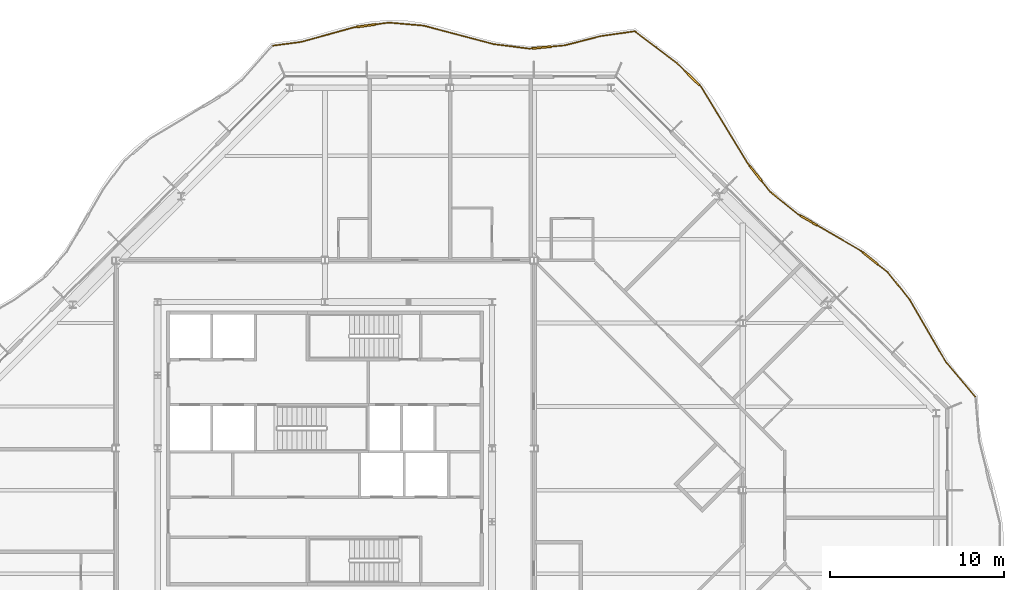
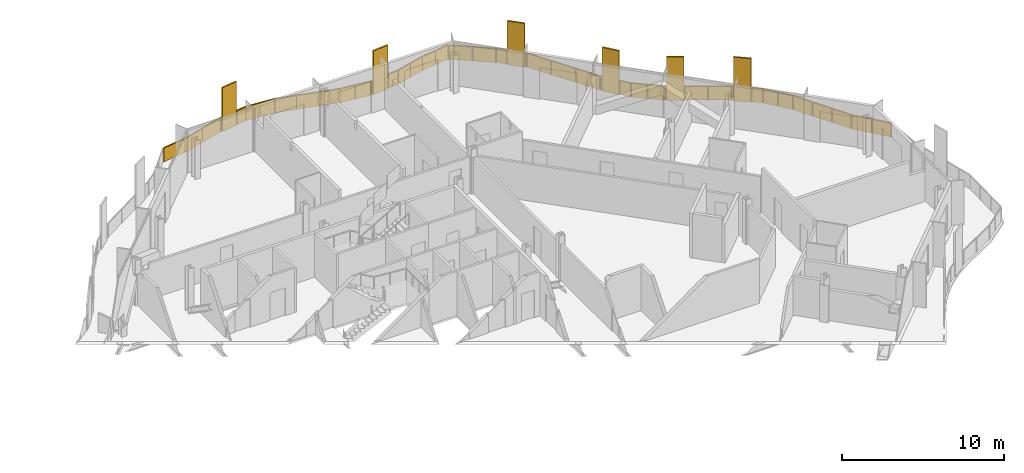
# One storey, part 17 of 17: 2 railings.
"""IFC4 building model written with IfcOpenShell, lengths in metres."""

from ifc_helpers import new_model, si_unit, direction, frame, origin, origin_2d, place, context, subcontext, project, spatial, polyline, rectangle, outline, extrude, material, type_object, element, save


model = new_model("IFC4")

# Units and contexts
model_context = context("Model", 3, precision=1e-05, world=origin(), true_north=direction((0.0, 1.0)))
body_context = subcontext(model_context, "Body", "Model", "MODEL_VIEW")
ifc_project = project(units=[si_unit("LENGTHUNIT", "METRE"), si_unit("AREAUNIT", "SQUARE_METRE"), si_unit("VOLUMEUNIT", "CUBIC_METRE"), si_unit("PLANEANGLEUNIT", "RADIAN"), si_unit("MASSUNIT", "GRAM", prefix="KILO")], contexts=[model_context])

# Site, building, storey
site_placement = place(None, origin())
site = spatial("IfcSite", under=ifc_project, at=site_placement, CompositionType="ELEMENT")
building_placement = place(site_placement, origin())
building = spatial("IfcBuilding", under=site, at=building_placement, Name="Cairn Pilgrim Tower", CompositionType="ELEMENT")
storey_placement = place(building_placement, frame((0.0, 0.0, 257.39990234375)))
storey = spatial("IfcBuildingStorey", under=building, at=storey_placement, Name="L66", CompositionType="ELEMENT", Elevation=257.39990234375)

# Railings
ifc_material = material(Name="Bronze anodised aluminium rail, posts and fin screens with laminated glass infill", Category="aluminium")
railing_type = type_object("IfcRailingType", Name="BALCONY GUARD WITH FIN SCREENS", PredefinedType="GUARDRAIL", material=ifc_material)
railing_1_placement = place(storey_placement, frame((44.5546875, 5.36083984375, 0.0)))
element("IfcRailing", 1, at=railing_1_placement, inside=storey, type_object=railing_type, Name="Balcony guard BGF-4 with fin screens", PredefinedType="GUARDRAIL", context=body_context, shape_type="SweptSolid", body=[
    extrude(rectangle(XDim=0.050048828125, YDim=0.050048828125, at=origin_2d()), frame((0.0, 0.0, 1.0751953125), z_axis=(-0.64806430791, 0.76158561752, 0.0), x_axis=(-0.76158561752, -0.64806430791, 0.0)), (0.0, 0.0, 1.0), 2.6064453125),
    extrude(rectangle(XDim=0.050048828125, YDim=0.050048828125, at=origin_2d()), frame((-1.689208984375, 1.985107421875, 1.0751953125), z_axis=(-0.502484896904, 0.864585986691, 0.0), x_axis=(-0.864585986691, -0.502484896904, 0.0)), (0.0, 0.0, 1.0), 4.163330078125),
    extrude(rectangle(XDim=0.050048828125, YDim=0.050048828125, at=origin_2d()), frame((-3.78125, 5.584716796875, 1.0751953125), z_axis=(-0.625157352372, 0.780498741046, 0.0), x_axis=(-0.780498741046, -0.625157352372, 0.0)), (0.0, 0.0, 1.0), 1.99609375),
    extrude(rectangle(XDim=1.10009765625, YDim=0.110107421875, at=origin_2d()), frame((-6.0400390625, 7.953125, 0.0), z_axis=(0.0, 0.0, 1.0), x_axis=(-0.780235861262, 0.625485412141, 0.0)), (0.0, 0.0, 1.0), 3.300048828125),
    extrude(rectangle(XDim=0.050048828125, YDim=0.050048828125, at=origin_2d()), frame((-5.029052734375, 7.142578125, 1.0751953125), z_axis=(-0.780235861262, 0.625485412141, 0.0), x_axis=(-0.625485412141, -0.780235861262, 0.0)), (0.0, 0.0, 1.0), 0.74560546875),
    extrude(rectangle(XDim=0.050048828125, YDim=0.050048828125, at=origin_2d()), frame((-6.46923828125, 8.297119140625, 1.0751953125), z_axis=(-0.780235861262, 0.625485412141, 0.0), x_axis=(-0.625485412141, -0.780235861262, 0.0)), (0.0, 0.0, 1.0), 0.150146484375),
    extrude(rectangle(XDim=1.10009765625, YDim=0.110107421875, at=origin_2d()), frame((-9.5791015625, 10.13037109375, 0.0), z_axis=(0.0, 0.0, 1.0), x_axis=(-0.864573572057, 0.502506257175, 0.0)), (0.0, 0.0, 1.0), 3.300048828125),
    extrude(rectangle(XDim=0.050048828125, YDim=0.050048828125, at=origin_2d()), frame((-6.586181640625, 8.390869140625, 1.0751953125), z_axis=(-0.864573572057, 0.502506257175, 0.0), x_axis=(-0.502506257175, -0.864573572057, 0.0)), (0.0, 0.0, 1.0), 2.91162109375),
    extrude(rectangle(XDim=0.050048828125, YDim=0.050048828125, at=origin_2d()), frame((-10.054443359375, 10.40673828125, 1.0751953125), z_axis=(-0.864573572057, 0.502506257175, 0.0), x_axis=(-0.502506257175, -0.864573572057, 0.0)), (0.0, 0.0, 1.0), 0.150146484375),
    extrude(rectangle(XDim=0.050048828125, YDim=0.050048828125, at=origin_2d()), frame((-10.184326171875, 10.482177734375, 1.0751953125), z_axis=(-0.777594108247, 0.6287665726, 0.0), x_axis=(-0.6287665726, -0.777594108247, 0.0)), (0.0, 0.0, 1.0), 2.050537109375),
    extrude(rectangle(XDim=1.10009765625, YDim=0.110107421875, at=origin_2d()), frame((-12.618408203125, 12.8291015625, 0.0), z_axis=(0.0, 0.0, 1.0), x_axis=(-0.621757575398, 0.783209753154, 0.0)), (0.0, 0.0, 1.0), 3.300048828125),
    extrude(rectangle(XDim=0.050048828125, YDim=0.050048828125, at=origin_2d()), frame((-11.77880859375, 11.771484375, 1.0751953125), z_axis=(-0.621757575398, 0.783209753154, 0.0), x_axis=(-0.783209753154, -0.621757575398, 0.0)), (0.0, 0.0, 1.0), 0.800537109375),
    extrude(rectangle(XDim=0.050048828125, YDim=0.050048828125, at=origin_2d()), frame((-12.96044921875, 13.260009765625, 1.0751953125), z_axis=(-0.621757575398, 0.783209753154, 0.0), x_axis=(-0.783209753154, -0.621757575398, 0.0)), (0.0, 0.0, 1.0), 0.14990234375),
    extrude(rectangle(XDim=0.050048828125, YDim=0.050048828125, at=origin_2d()), frame((-13.0537109375, 13.37744140625, 1.0751953125), z_axis=(-0.520336780207, 0.853961143825, 0.0), x_axis=(-0.853961143825, -0.520336780207, 0.0)), (0.0, 0.0, 1.0), 5.1650390625),
    extrude(rectangle(XDim=1.10009765625, YDim=0.110107421875, at=origin_2d()), frame((-16.2412109375, 18.278076171875, 0.0), z_axis=(0.0, 0.0, 1.0), x_axis=(-0.714150063952, 0.699992632931, 0.0)), (0.0, 0.0, 1.0), 3.300048828125),
    extrude(rectangle(XDim=0.050048828125, YDim=0.050048828125, at=origin_2d()), frame((-15.7412109375, 17.7880859375, 1.0751953125), z_axis=(-0.714150063952, 0.699992632931, 0.0), x_axis=(-0.699992632931, -0.714150063952, 0.0)), (0.0, 0.0, 1.0), 0.14990234375),
    extrude(rectangle(XDim=0.050048828125, YDim=0.050048828125, at=origin_2d()), frame((-16.6337890625, 18.6630859375, 1.0751953125), z_axis=(-0.714150063952, 0.699992632931, 0.0), x_axis=(-0.699992632931, -0.714150063952, 0.0)), (0.0, 0.0, 1.0), 0.733154296875),
    extrude(rectangle(XDim=0.050048828125, YDim=0.050048828125, at=origin_2d()), frame((-17.157470703125, 19.17626953125, 1.0751953125), z_axis=(-0.797707926481, 0.60304399842, 0.0), x_axis=(-0.60304399842, -0.797707926481, 0.0)), (0.0, 0.0, 1.0), 2.947265625),
    extrude(rectangle(XDim=0.050048828125, YDim=0.050048828125, at=origin_2d()), origin(), (0.0, 0.0, 1.0), 1.050048828125),
    extrude(rectangle(XDim=0.050048828125, YDim=0.050048828125, at=origin_2d()), frame((-0.8447265625, 0.99267578125, 0.0)), (0.0, 0.0, 1.0), 1.050048828125),
    extrude(rectangle(XDim=0.050048828125, YDim=0.050048828125, at=origin_2d()), frame((-1.689208984375, 1.985107421875, 0.0)), (0.0, 0.0, 1.0), 1.050048828125),
    extrude(rectangle(XDim=0.050048828125, YDim=0.050048828125, at=origin_2d()), frame((-2.386474609375, 3.18505859375, 0.0)), (0.0, 0.0, 1.0), 1.050048828125),
    extrude(rectangle(XDim=0.050048828125, YDim=0.050048828125, at=origin_2d()), frame((-3.083984375, 4.384765625, 0.0)), (0.0, 0.0, 1.0), 1.050048828125),
    extrude(rectangle(XDim=0.050048828125, YDim=0.050048828125, at=origin_2d()), frame((-3.78125, 5.584716796875, 0.0)), (0.0, 0.0, 1.0), 1.050048828125),
    extrude(rectangle(XDim=0.050048828125, YDim=0.050048828125, at=origin_2d()), frame((-4.4052734375, 6.36376953125, 0.0)), (0.0, 0.0, 1.0), 1.050048828125),
    extrude(rectangle(XDim=0.050048828125, YDim=0.050048828125, at=origin_2d()), frame((-5.029052734375, 7.142578125, 0.0)), (0.0, 0.0, 1.0), 1.050048828125),
    extrude(rectangle(XDim=0.050048828125, YDim=0.050048828125, at=origin_2d()), frame((-5.59130859375, 7.59326171875, 0.0)), (0.0, 0.0, 1.0), 1.050048828125),
    extrude(rectangle(XDim=0.050048828125, YDim=0.050048828125, at=origin_2d()), frame((-6.488525390625, 8.312744140625, 0.0)), (0.0, 0.0, 1.0), 1.050048828125),
    extrude(rectangle(XDim=0.050048828125, YDim=0.050048828125, at=origin_2d()), frame((-6.586181640625, 8.390869140625, 0.0)), (0.0, 0.0, 1.0), 1.050048828125),
    extrude(rectangle(XDim=0.050048828125, YDim=0.050048828125, at=origin_2d()), frame((-7.833984375, 9.1162109375, 0.0)), (0.0, 0.0, 1.0), 1.050048828125),
    extrude(rectangle(XDim=0.050048828125, YDim=0.050048828125, at=origin_2d()), frame((-9.081787109375, 9.84130859375, 0.0)), (0.0, 0.0, 1.0), 1.050048828125),
    extrude(rectangle(XDim=0.050048828125, YDim=0.050048828125, at=origin_2d()), frame((-10.076171875, 10.41943359375, 0.0)), (0.0, 0.0, 1.0), 1.050048828125),
    extrude(rectangle(XDim=0.050048828125, YDim=0.050048828125, at=origin_2d()), frame((-10.184326171875, 10.482177734375, 0.0)), (0.0, 0.0, 1.0), 1.050048828125),
    extrude(rectangle(XDim=0.050048828125, YDim=0.050048828125, at=origin_2d()), frame((-10.9814453125, 11.126953125, 0.0)), (0.0, 0.0, 1.0), 1.050048828125),
    extrude(rectangle(XDim=0.050048828125, YDim=0.050048828125, at=origin_2d()), frame((-11.77880859375, 11.771484375, 0.0)), (0.0, 0.0, 1.0), 1.050048828125),
    extrude(rectangle(XDim=0.050048828125, YDim=0.050048828125, at=origin_2d()), frame((-12.260986328125, 12.37890625, 0.0)), (0.0, 0.0, 1.0), 1.050048828125),
    extrude(rectangle(XDim=0.050048828125, YDim=0.050048828125, at=origin_2d()), frame((-12.97607421875, 13.279541015625, 0.0)), (0.0, 0.0, 1.0), 1.050048828125),
    extrude(rectangle(XDim=0.050048828125, YDim=0.050048828125, at=origin_2d()), frame((-13.0537109375, 13.37744140625, 0.0)), (0.0, 0.0, 1.0), 1.050048828125),
    extrude(rectangle(XDim=0.050048828125, YDim=0.050048828125, at=origin_2d()), frame((-13.949462890625, 14.84765625, 0.0)), (0.0, 0.0, 1.0), 1.050048828125),
    extrude(rectangle(XDim=0.050048828125, YDim=0.050048828125, at=origin_2d()), frame((-14.845458984375, 16.31787109375, 0.0)), (0.0, 0.0, 1.0), 1.050048828125),
    extrude(rectangle(XDim=0.050048828125, YDim=0.050048828125, at=origin_2d()), frame((-15.7412109375, 17.7880859375, 0.0)), (0.0, 0.0, 1.0), 1.050048828125),
    extrude(rectangle(XDim=0.050048828125, YDim=0.050048828125, at=origin_2d()), frame((-15.830322265625, 17.87548828125, 0.0)), (0.0, 0.0, 1.0), 1.050048828125),
    extrude(rectangle(XDim=0.050048828125, YDim=0.050048828125, at=origin_2d()), frame((-16.65185546875, 18.6806640625, 0.0)), (0.0, 0.0, 1.0), 1.050048828125),
    extrude(rectangle(XDim=0.050048828125, YDim=0.050048828125, at=origin_2d()), frame((-17.157470703125, 19.17626953125, 0.0)), (0.0, 0.0, 1.0), 1.050048828125),
    extrude(rectangle(XDim=0.050048828125, YDim=0.050048828125, at=origin_2d()), frame((-18.3330078125, 20.06494140625, 0.0)), (0.0, 0.0, 1.0), 1.050048828125),
    extrude(rectangle(XDim=0.050048828125, YDim=0.050048828125, at=origin_2d()), frame((-19.508544921875, 20.95361328125, 0.0)), (0.0, 0.0, 1.0), 1.050048828125),
    extrude(outline(polyline([(0.02490234375, 0.0), (1.2783203125, 0.0), (1.2783203125, 1.050048828125), (0.02490234375, 1.050048828125), (0.02490234375, 0.0)])), frame((-0.004638671875, -0.00390625, 0.0), z_axis=(0.76158561752, 0.64806430791, 0.0), x_axis=(-0.64806430791, 0.76158561752, 0.0)), (0.0, 0.0, 1.0), 0.011962890625),
    extrude(outline(polyline([(0.02490234375, 0.0), (1.2783203125, 0.0), (1.2783203125, 1.050048828125), (0.02490234375, 1.050048828125), (0.02490234375, 0.0)])), frame((-0.84912109375, 0.98876953125, 0.0), z_axis=(0.76158561752, 0.64806430791, 0.0), x_axis=(-0.64806430791, 0.76158561752, 0.0)), (0.0, 0.0, 1.0), 0.011962890625),
    extrude(outline(polyline([(0.02490234375, 0.0), (1.36279296875, 0.0), (1.36279296875, 1.050048828125), (0.02490234375, 1.050048828125), (0.02490234375, 0.0)])), frame((-1.6943359375, 1.982177734375, 0.0), z_axis=(0.864585986691, 0.502484896904, 0.0), x_axis=(-0.502484896904, 0.864585986691, 0.0)), (0.0, 0.0, 1.0), 0.011962890625),
    extrude(outline(polyline([(0.02490234375, 0.0), (1.36279296875, 0.0), (1.36279296875, 1.050048828125), (0.02490234375, 1.050048828125), (0.02490234375, 0.0)])), frame((-2.391845703125, 3.181884765625, 0.0), z_axis=(0.864585986691, 0.502484896904, 0.0), x_axis=(-0.502484896904, 0.864585986691, 0.0)), (0.0, 0.0, 1.0), 0.011962890625),
    extrude(outline(polyline([(0.02490234375, 0.0), (1.36279296875, 0.0), (1.36279296875, 1.050048828125), (0.02490234375, 1.050048828125), (0.02490234375, 0.0)])), frame((-3.089111328125, 4.3818359375, 0.0), z_axis=(0.864585986691, 0.502484896904, 0.0), x_axis=(-0.502484896904, 0.864585986691, 0.0)), (0.0, 0.0, 1.0), 0.011962890625),
    extrude(outline(polyline([(0.02490234375, 0.0), (0.972900390625, 0.0), (0.972900390625, 1.050048828125), (0.02490234375, 1.050048828125), (0.02490234375, 0.0)])), frame((-3.785888671875, 5.5810546875, 0.0), z_axis=(0.780498741046, 0.625157352372, 0.0), x_axis=(-0.625157352372, 0.780498741046, 0.0)), (0.0, 0.0, 1.0), 0.011962890625),
    extrude(outline(polyline([(0.02490234375, 0.0), (0.972900390625, 0.0), (0.972900390625, 1.050048828125), (0.02490234375, 1.050048828125), (0.02490234375, 0.0)])), frame((-4.409912109375, 6.35986328125, 0.0), z_axis=(0.780498741046, 0.625157352372, 0.0), x_axis=(-0.625157352372, 0.780498741046, 0.0)), (0.0, 0.0, 1.0), 0.011962890625),
    extrude(outline(polyline([(0.02490234375, 0.0), (0.695556640625, 0.0), (0.695556640625, 1.050048828125), (0.02490234375, 1.050048828125), (0.02490234375, 0.0)])), frame((-5.03271484375, 7.137939453125, 0.0), z_axis=(0.625485412141, 0.780235861262, 0.0), x_axis=(-0.780235861262, 0.625485412141, 0.0)), (0.0, 0.0, 1.0), 0.011962890625),
    extrude(outline(polyline([(0.02490234375, 0.0), (0.10009765625, 0.0), (0.10009765625, 1.050048828125), (0.02490234375, 1.050048828125), (0.02490234375, 0.0)])), frame((-6.492431640625, 8.30810546875, 0.0), z_axis=(0.625485412141, 0.780235861262, 0.0), x_axis=(-0.780235861262, 0.625485412141, 0.0)), (0.0, 0.0, 1.0), 0.011962890625),
    extrude(outline(polyline([(0.02490234375, 0.0), (1.418212890625, 0.0), (1.418212890625, 1.050048828125), (0.02490234375, 1.050048828125), (0.02490234375, 0.0)])), frame((-6.589111328125, 8.3857421875, 0.0), z_axis=(0.502506257175, 0.864573572057, 0.0), x_axis=(-0.864573572057, 0.502506257175, 0.0)), (0.0, 0.0, 1.0), 0.011962890625),
    extrude(outline(polyline([(0.02490234375, 0.0), (1.418212890625, 0.0), (1.418212890625, 1.050048828125), (0.02490234375, 1.050048828125), (0.02490234375, 0.0)])), frame((-7.837158203125, 9.111083984375, 0.0), z_axis=(0.502506257175, 0.864573572057, 0.0), x_axis=(-0.864573572057, 0.502506257175, 0.0)), (0.0, 0.0, 1.0), 0.011962890625),
    extrude(outline(polyline([(0.02490234375, 0.0), (0.10009765625, 0.0), (0.10009765625, 1.050048828125), (0.02490234375, 1.050048828125), (0.02490234375, 0.0)])), frame((-10.0791015625, 10.4140625, 0.0), z_axis=(0.502506257175, 0.864573572057, 0.0), x_axis=(-0.864573572057, 0.502506257175, 0.0)), (0.0, 0.0, 1.0), 0.011962890625),
    extrude(outline(polyline([(0.02490234375, 0.0), (1.000244140625, 0.0), (1.000244140625, 1.050048828125), (0.02490234375, 1.050048828125), (0.02490234375, 0.0)])), frame((-10.18798828125, 10.4775390625, 0.0), z_axis=(0.6287665726, 0.777594108247, 0.0), x_axis=(-0.777594108247, 0.6287665726, 0.0)), (0.0, 0.0, 1.0), 0.011962890625),
    extrude(outline(polyline([(0.02490234375, 0.0), (1.000244140625, 0.0), (1.000244140625, 1.050048828125), (0.02490234375, 1.050048828125), (0.02490234375, 0.0)])), frame((-10.9853515625, 11.1220703125, 0.0), z_axis=(0.6287665726, 0.777594108247, 0.0), x_axis=(-0.777594108247, 0.6287665726, 0.0)), (0.0, 0.0, 1.0), 0.011962890625),
    extrude(outline(polyline([(0.02490234375, 0.0), (0.75048828125, 0.0), (0.75048828125, 1.050048828125), (0.02490234375, 1.050048828125), (0.02490234375, 0.0)])), frame((-11.783447265625, 11.767822265625, 0.0), z_axis=(0.783209753154, 0.621757575398, 0.0), x_axis=(-0.621757575398, 0.783209753154, 0.0)), (0.0, 0.0, 1.0), 0.011962890625),
    extrude(outline(polyline([(0.02490234375, 0.0), (0.099853515625, 0.0), (0.099853515625, 1.050048828125), (0.02490234375, 1.050048828125), (0.02490234375, 0.0)])), frame((-12.980712890625, 13.27587890625, 0.0), z_axis=(0.783209753154, 0.621757575398, 0.0), x_axis=(-0.621757575398, 0.783209753154, 0.0)), (0.0, 0.0, 1.0), 0.011962890625),
    extrude(outline(polyline([(0.02490234375, 0.0), (1.696533203125, 0.0), (1.696533203125, 1.050048828125), (0.02490234375, 1.050048828125), (0.02490234375, 0.0)])), frame((-13.058837890625, 13.374267578125, 0.0), z_axis=(0.853961143825, 0.520336780207, 0.0), x_axis=(-0.520336780207, 0.853961143825, 0.0)), (0.0, 0.0, 1.0), 0.011962890625),
    extrude(outline(polyline([(0.02490234375, 0.0), (1.696533203125, 0.0), (1.696533203125, 1.050048828125), (0.02490234375, 1.050048828125), (0.02490234375, 0.0)])), frame((-13.95458984375, 14.844482421875, 0.0), z_axis=(0.853961143825, 0.520336780207, 0.0), x_axis=(-0.520336780207, 0.853961143825, 0.0)), (0.0, 0.0, 1.0), 0.011962890625),
    extrude(outline(polyline([(0.02490234375, 0.0), (1.696533203125, 0.0), (1.696533203125, 1.050048828125), (0.02490234375, 1.050048828125), (0.02490234375, 0.0)])), frame((-14.8505859375, 16.314697265625, 0.0), z_axis=(0.853961143825, 0.520336780207, 0.0), x_axis=(-0.520336780207, 0.853961143825, 0.0)), (0.0, 0.0, 1.0), 0.011962890625),
    extrude(outline(polyline([(0.02490234375, 0.0), (0.099853515625, 0.0), (0.099853515625, 1.050048828125), (0.02490234375, 1.050048828125), (0.02490234375, 0.0)])), frame((-15.745361328125, 17.783935546875, 0.0), z_axis=(0.699992632931, 0.714150063952, 0.0), x_axis=(-0.714150063952, 0.699992632931, 0.0)), (0.0, 0.0, 1.0), 0.011962890625),
    extrude(outline(polyline([(0.02490234375, 0.0), (0.68310546875, 0.0), (0.68310546875, 1.050048828125), (0.02490234375, 1.050048828125), (0.02490234375, 0.0)])), frame((-16.656005859375, 18.67626953125, 0.0), z_axis=(0.699992632931, 0.714150063952, 0.0), x_axis=(-0.714150063952, 0.699992632931, 0.0)), (0.0, 0.0, 1.0), 0.011962890625),
    extrude(outline(polyline([(0.02490234375, 0.0), (1.44873046875, 0.0), (1.44873046875, 1.050048828125), (0.02490234375, 1.050048828125), (0.02490234375, 0.0)])), frame((-17.1611328125, 19.17138671875, 0.0), z_axis=(0.60304399842, 0.797707926481, 0.0), x_axis=(-0.797707926481, 0.60304399842, 0.0)), (0.0, 0.0, 1.0), 0.011962890625),
    extrude(outline(polyline([(0.02490234375, 0.0), (1.44873046875, 0.0), (1.44873046875, 1.050048828125), (0.02490234375, 1.050048828125), (0.02490234375, 0.0)])), frame((-18.336669921875, 20.06005859375, 0.0), z_axis=(0.60304399842, 0.797707926481, 0.0), x_axis=(-0.797707926481, 0.60304399842, 0.0)), (0.0, 0.0, 1.0), 0.011962890625),
])
railing_2_placement = place(storey_placement, frame((24.998291015625, 26.3505859375, 0.0)))
element("IfcRailing", 2, at=railing_2_placement, inside=storey, type_object=railing_type, Name="Balcony guard BGF-5 with fin screens", PredefinedType="GUARDRAIL", context=body_context, shape_type="SweptSolid", body=[
    extrude(rectangle(XDim=0.050048828125, YDim=0.050048828125, at=origin_2d()), frame((0.0, 0.0, 1.0751953125), z_axis=(-0.989986094938, -0.141164910047, 0.0), x_axis=(0.141164910047, -0.989986094938, 0.0)), (0.0, 0.0, 1.0), 1.999267578125),
    extrude(rectangle(XDim=0.050048828125, YDim=0.050048828125, at=origin_2d()), frame((-1.979248046875, -0.2822265625, 1.0751953125), z_axis=(-0.968026298604, -0.250848729736, 0.0), x_axis=(0.250848729736, -0.968026298604, 0.0)), (0.0, 0.0, 1.0), 2.091552734375),
    extrude(rectangle(XDim=1.10009765625, YDim=0.110107421875, at=origin_2d()), frame((-5.3564453125, -0.934326171875, 0.0), z_axis=(0.0, 0.0, 1.0), x_axis=(-0.995590376149, -0.093807264745, 0.0)), (0.0, 0.0, 1.0), 3.300048828125),
    extrude(rectangle(XDim=0.050048828125, YDim=0.050048828125, at=origin_2d()), frame((-4.00390625, -0.806884765625, 1.0751953125), z_axis=(-0.995590376149, -0.093807264745, 0.0), x_axis=(0.093807264745, -0.995590376149, 0.0)), (0.0, 0.0, 1.0), 0.80859375),
    extrude(rectangle(XDim=0.050048828125, YDim=0.050048828125, at=origin_2d()), frame((-5.904052734375, -0.98583984375, 1.0751953125), z_axis=(-0.995590376149, -0.093807264745, 0.0), x_axis=(0.093807264745, -0.995590376149, 0.0)), (0.0, 0.0, 1.0), 0.150146484375),
    extrude(rectangle(XDim=0.050048828125, YDim=0.050048828125, at=origin_2d()), frame((-6.053466796875, -1.0, 1.0751953125), z_axis=(-0.992015413663, 0.126116688249, 0.0), x_axis=(-0.126116688249, -0.992015413663, 0.0)), (0.0, 0.0, 1.0), 2.0634765625),
    extrude(rectangle(XDim=0.050048828125, YDim=0.050048828125, at=origin_2d()), frame((-8.1005859375, -0.73974609375, 1.0751953125), z_axis=(-0.966940400006, 0.255002476138, 0.0), x_axis=(-0.255002476138, -0.966940400006, 0.0)), (0.0, 0.0, 1.0), 4.17724609375),
    extrude(rectangle(XDim=0.050048828125, YDim=0.050048828125, at=origin_2d()), frame((-12.1396484375, 0.325439453125, 1.0751953125), z_axis=(-0.996390757709, 0.084884968939, 0.0), x_axis=(-0.084884968939, -0.996390757709, 0.0)), (0.0, 0.0, 1.0), 1.9990234375),
    extrude(rectangle(XDim=1.10009765625, YDim=0.110107421875, at=origin_2d()), frame((-15.432373046875, 0.31884765625, 0.0), z_axis=(0.0, 0.0, 1.0), x_axis=(-0.990944948321, -0.134268795323, 0.0)), (0.0, 0.0, 1.0), 3.300048828125),
    extrude(rectangle(XDim=0.050048828125, YDim=0.050048828125, at=origin_2d()), frame((-14.13134765625, 0.4951171875, 1.0751953125), z_axis=(-0.990944948321, -0.134268795323, 0.0), x_axis=(0.134268795323, -0.990944948321, 0.0)), (0.0, 0.0, 1.0), 0.762939453125),
    extrude(rectangle(XDim=0.050048828125, YDim=0.050048828125, at=origin_2d()), frame((-15.977294921875, 0.244873046875, 1.0751953125), z_axis=(-0.990944948321, -0.134268795323, 0.0), x_axis=(0.134268795323, -0.990944948321, 0.0)), (0.0, 0.0, 1.0), 0.14990234375),
    extrude(rectangle(XDim=0.050048828125, YDim=0.050048828125, at=origin_2d()), frame((-16.1259765625, 0.224853515625, 1.0751953125), z_axis=(-0.963846329929, -0.26645872529, 0.0), x_axis=(0.26645872529, -0.963846329929, 0.0)), (0.0, 0.0, 1.0), 3.1455078125),
    extrude(rectangle(XDim=0.050048828125, YDim=0.050048828125, at=origin_2d()), frame((-19.15771484375, -0.61328125, 1.0751953125), z_axis=(-0.99135476599, -0.131208719028, 0.0), x_axis=(0.131208719028, -0.99135476599, 0.0)), (0.0, 0.0, 1.0), 1.607666015625),
    extrude(rectangle(XDim=0.050048828125, YDim=0.050048828125, at=origin_2d()), origin(), (0.0, 0.0, 1.0), 1.050048828125),
    extrude(rectangle(XDim=0.050048828125, YDim=0.050048828125, at=origin_2d()), frame((-0.98974609375, -0.14111328125, 0.0)), (0.0, 0.0, 1.0), 1.050048828125),
    extrude(rectangle(XDim=0.050048828125, YDim=0.050048828125, at=origin_2d()), frame((-1.979248046875, -0.2822265625, 0.0)), (0.0, 0.0, 1.0), 1.050048828125),
    extrude(rectangle(XDim=0.050048828125, YDim=0.050048828125, at=origin_2d()), frame((-2.99169921875, -0.54443359375, 0.0)), (0.0, 0.0, 1.0), 1.050048828125),
    extrude(rectangle(XDim=0.050048828125, YDim=0.050048828125, at=origin_2d()), frame((-4.00390625, -0.806884765625, 0.0)), (0.0, 0.0, 1.0), 1.050048828125),
    extrude(rectangle(XDim=0.050048828125, YDim=0.050048828125, at=origin_2d()), frame((-4.783935546875, -0.88037109375, 0.0)), (0.0, 0.0, 1.0), 1.050048828125),
    extrude(rectangle(XDim=0.050048828125, YDim=0.050048828125, at=origin_2d()), frame((-5.928955078125, -0.98828125, 0.0)), (0.0, 0.0, 1.0), 1.050048828125),
    extrude(rectangle(XDim=0.050048828125, YDim=0.050048828125, at=origin_2d()), frame((-6.053466796875, -1.0, 0.0)), (0.0, 0.0, 1.0), 1.050048828125),
    extrude(rectangle(XDim=0.050048828125, YDim=0.050048828125, at=origin_2d()), frame((-7.0771484375, -0.869873046875, 0.0)), (0.0, 0.0, 1.0), 1.050048828125),
    extrude(rectangle(XDim=0.050048828125, YDim=0.050048828125, at=origin_2d()), frame((-8.1005859375, -0.73974609375, 0.0)), (0.0, 0.0, 1.0), 1.050048828125),
    extrude(rectangle(XDim=0.050048828125, YDim=0.050048828125, at=origin_2d()), frame((-9.447021484375, -0.384765625, 0.0)), (0.0, 0.0, 1.0), 1.050048828125),
    extrude(rectangle(XDim=0.050048828125, YDim=0.050048828125, at=origin_2d()), frame((-10.793212890625, -0.029541015625, 0.0)), (0.0, 0.0, 1.0), 1.050048828125),
    extrude(rectangle(XDim=0.050048828125, YDim=0.050048828125, at=origin_2d()), frame((-12.1396484375, 0.325439453125, 0.0)), (0.0, 0.0, 1.0), 1.050048828125),
    extrude(rectangle(XDim=0.050048828125, YDim=0.050048828125, at=origin_2d()), frame((-13.135498046875, 0.41015625, 0.0)), (0.0, 0.0, 1.0), 1.050048828125),
    extrude(rectangle(XDim=0.050048828125, YDim=0.050048828125, at=origin_2d()), frame((-14.13134765625, 0.4951171875, 0.0)), (0.0, 0.0, 1.0), 1.050048828125),
    extrude(rectangle(XDim=0.050048828125, YDim=0.050048828125, at=origin_2d()), frame((-14.862548828125, 0.39599609375, 0.0)), (0.0, 0.0, 1.0), 1.050048828125),
    extrude(rectangle(XDim=0.050048828125, YDim=0.050048828125, at=origin_2d()), frame((-16.002197265625, 0.24169921875, 0.0)), (0.0, 0.0, 1.0), 1.050048828125),
    extrude(rectangle(XDim=0.050048828125, YDim=0.050048828125, at=origin_2d()), frame((-16.1259765625, 0.224853515625, 0.0)), (0.0, 0.0, 1.0), 1.050048828125),
    extrude(rectangle(XDim=0.050048828125, YDim=0.050048828125, at=origin_2d()), frame((-17.641845703125, -0.1943359375, 0.0)), (0.0, 0.0, 1.0), 1.050048828125),
    extrude(rectangle(XDim=0.050048828125, YDim=0.050048828125, at=origin_2d()), frame((-19.15771484375, -0.61328125, 0.0)), (0.0, 0.0, 1.0), 1.050048828125),
    extrude(rectangle(XDim=0.050048828125, YDim=0.050048828125, at=origin_2d()), frame((-20.75146484375, -0.82421875, 0.0)), (0.0, 0.0, 1.0), 1.050048828125),
    extrude(outline(polyline([(0.02490234375, 0.0), (0.974609375, 0.0), (0.974609375, 1.050048828125), (0.02490234375, 1.050048828125), (0.02490234375, 0.0)])), frame((0.000732421875, -0.005859375, 0.0), z_axis=(-0.141164910047, 0.989986094938, 0.0), x_axis=(-0.989986094938, -0.141164910047, 0.0)), (0.0, 0.0, 1.0), 0.011962890625),
    extrude(outline(polyline([(0.02490234375, 0.0), (0.974609375, 0.0), (0.974609375, 1.050048828125), (0.02490234375, 1.050048828125), (0.02490234375, 0.0)])), frame((-0.98876953125, -0.14697265625, 0.0), z_axis=(-0.141164910047, 0.989986094938, 0.0), x_axis=(-0.989986094938, -0.141164910047, 0.0)), (0.0, 0.0, 1.0), 0.011962890625),
    extrude(outline(polyline([(0.02490234375, 0.0), (1.020751953125, 0.0), (1.020751953125, 1.050048828125), (0.02490234375, 1.050048828125), (0.02490234375, 0.0)])), frame((-1.977783203125, -0.2880859375, 0.0), z_axis=(-0.250848729736, 0.968026298604, 0.0), x_axis=(-0.968026298604, -0.250848729736, 0.0)), (0.0, 0.0, 1.0), 0.011962890625),
    extrude(outline(polyline([(0.02490234375, 0.0), (1.020751953125, 0.0), (1.020751953125, 1.050048828125), (0.02490234375, 1.050048828125), (0.02490234375, 0.0)])), frame((-2.989990234375, -0.55029296875, 0.0), z_axis=(-0.250848729736, 0.968026298604, 0.0), x_axis=(-0.968026298604, -0.250848729736, 0.0)), (0.0, 0.0, 1.0), 0.011962890625),
    extrude(outline(polyline([(0.02490234375, 0.0), (0.758544921875, 0.0), (0.758544921875, 1.050048828125), (0.02490234375, 1.050048828125), (0.02490234375, 0.0)])), frame((-4.00341796875, -0.812744140625, 0.0), z_axis=(-0.093807264745, 0.995590376149, 0.0), x_axis=(-0.995590376149, -0.093807264745, 0.0)), (0.0, 0.0, 1.0), 0.011962890625),
    extrude(outline(polyline([(0.02490234375, 0.0), (0.10009765625, 0.0), (0.10009765625, 1.050048828125), (0.02490234375, 1.050048828125), (0.02490234375, 0.0)])), frame((-5.92822265625, -0.994140625, 0.0), z_axis=(-0.093807264745, 0.995590376149, 0.0), x_axis=(-0.995590376149, -0.093807264745, 0.0)), (0.0, 0.0, 1.0), 0.011962890625),
    extrude(outline(polyline([(0.02490234375, 0.0), (1.0068359375, 0.0), (1.0068359375, 1.050048828125), (0.02490234375, 1.050048828125), (0.02490234375, 0.0)])), frame((-6.05419921875, -1.005859375, 0.0), z_axis=(0.126116688249, 0.992015413663, 0.0), x_axis=(-0.992015413663, 0.126116688249, 0.0)), (0.0, 0.0, 1.0), 0.011962890625),
    extrude(outline(polyline([(0.02490234375, 0.0), (1.0068359375, 0.0), (1.0068359375, 1.050048828125), (0.02490234375, 1.050048828125), (0.02490234375, 0.0)])), frame((-7.077880859375, -0.875732421875, 0.0), z_axis=(0.126116688249, 0.992015413663, 0.0), x_axis=(-0.992015413663, 0.126116688249, 0.0)), (0.0, 0.0, 1.0), 0.011962890625),
    extrude(outline(polyline([(0.02490234375, 0.0), (1.367431640625, 0.0), (1.367431640625, 1.050048828125), (0.02490234375, 1.050048828125), (0.02490234375, 0.0)])), frame((-8.10205078125, -0.74560546875, 0.0), z_axis=(0.255002476138, 0.966940400006, 0.0), x_axis=(-0.966940400006, 0.255002476138, 0.0)), (0.0, 0.0, 1.0), 0.011962890625),
    extrude(outline(polyline([(0.02490234375, 0.0), (1.367431640625, 0.0), (1.367431640625, 1.050048828125), (0.02490234375, 1.050048828125), (0.02490234375, 0.0)])), frame((-9.448486328125, -0.390380859375, 0.0), z_axis=(0.255002476138, 0.966940400006, 0.0), x_axis=(-0.966940400006, 0.255002476138, 0.0)), (0.0, 0.0, 1.0), 0.011962890625),
    extrude(outline(polyline([(0.02490234375, 0.0), (1.367431640625, 0.0), (1.367431640625, 1.050048828125), (0.02490234375, 1.050048828125), (0.02490234375, 0.0)])), frame((-10.794921875, -0.035400390625, 0.0), z_axis=(0.255002476138, 0.966940400006, 0.0), x_axis=(-0.966940400006, 0.255002476138, 0.0)), (0.0, 0.0, 1.0), 0.011962890625),
    extrude(outline(polyline([(0.02490234375, 0.0), (0.974365234375, 0.0), (0.974365234375, 1.050048828125), (0.02490234375, 1.050048828125), (0.02490234375, 0.0)])), frame((-12.14013671875, 0.319580078125, 0.0), z_axis=(0.084884968939, 0.996390757709, 0.0), x_axis=(-0.996390757709, 0.084884968939, 0.0)), (0.0, 0.0, 1.0), 0.011962890625),
    extrude(outline(polyline([(0.02490234375, 0.0), (0.974365234375, 0.0), (0.974365234375, 1.050048828125), (0.02490234375, 1.050048828125), (0.02490234375, 0.0)])), frame((-13.135986328125, 0.404296875, 0.0), z_axis=(0.084884968939, 0.996390757709, 0.0), x_axis=(-0.996390757709, 0.084884968939, 0.0)), (0.0, 0.0, 1.0), 0.011962890625),
    extrude(outline(polyline([(0.02490234375, 0.0), (0.712890625, 0.0), (0.712890625, 1.050048828125), (0.02490234375, 1.050048828125), (0.02490234375, 0.0)])), frame((-14.130615234375, 0.4892578125, 0.0), z_axis=(-0.134268795323, 0.990944948321, 0.0), x_axis=(-0.990944948321, -0.134268795323, 0.0)), (0.0, 0.0, 1.0), 0.011962890625),
    extrude(outline(polyline([(0.02490234375, 0.0), (0.099853515625, 0.0), (0.099853515625, 1.050048828125), (0.02490234375, 1.050048828125), (0.02490234375, 0.0)])), frame((-16.00146484375, 0.235595703125, 0.0), z_axis=(-0.134268795323, 0.990944948321, 0.0), x_axis=(-0.990944948321, -0.134268795323, 0.0)), (0.0, 0.0, 1.0), 0.011962890625),
    extrude(outline(polyline([(0.02490234375, 0.0), (1.547607421875, 0.0), (1.547607421875, 1.050048828125), (0.02490234375, 1.050048828125), (0.02490234375, 0.0)])), frame((-16.124267578125, 0.218994140625, 0.0), z_axis=(-0.26645872529, 0.963846329929, 0.0), x_axis=(-0.963846329929, -0.26645872529, 0.0)), (0.0, 0.0, 1.0), 0.011962890625),
    extrude(outline(polyline([(0.02490234375, 0.0), (1.547607421875, 0.0), (1.547607421875, 1.050048828125), (0.02490234375, 1.050048828125), (0.02490234375, 0.0)])), frame((-17.64013671875, -0.199951171875, 0.0), z_axis=(-0.26645872529, 0.963846329929, 0.0), x_axis=(-0.963846329929, -0.26645872529, 0.0)), (0.0, 0.0, 1.0), 0.011962890625),
    extrude(outline(polyline([(0.02490234375, 0.0), (1.58251953125, 0.0), (1.58251953125, 1.050048828125), (0.02490234375, 1.050048828125), (0.02490234375, 0.0)])), frame((-19.156982421875, -0.619140625, 0.0), z_axis=(-0.131208719028, 0.99135476599, 0.0), x_axis=(-0.99135476599, -0.131208719028, 0.0)), (0.0, 0.0, 1.0), 0.011962890625),
])

save(model, "model.ifc")
